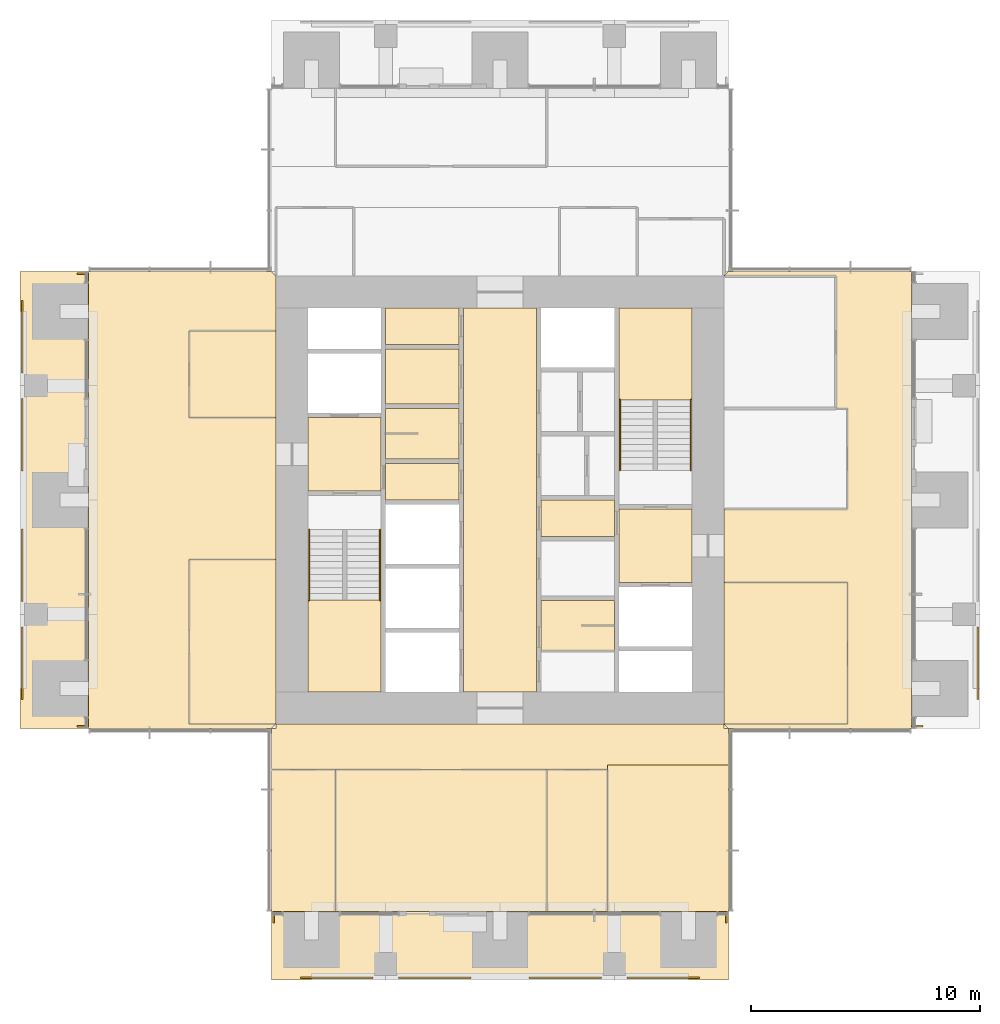
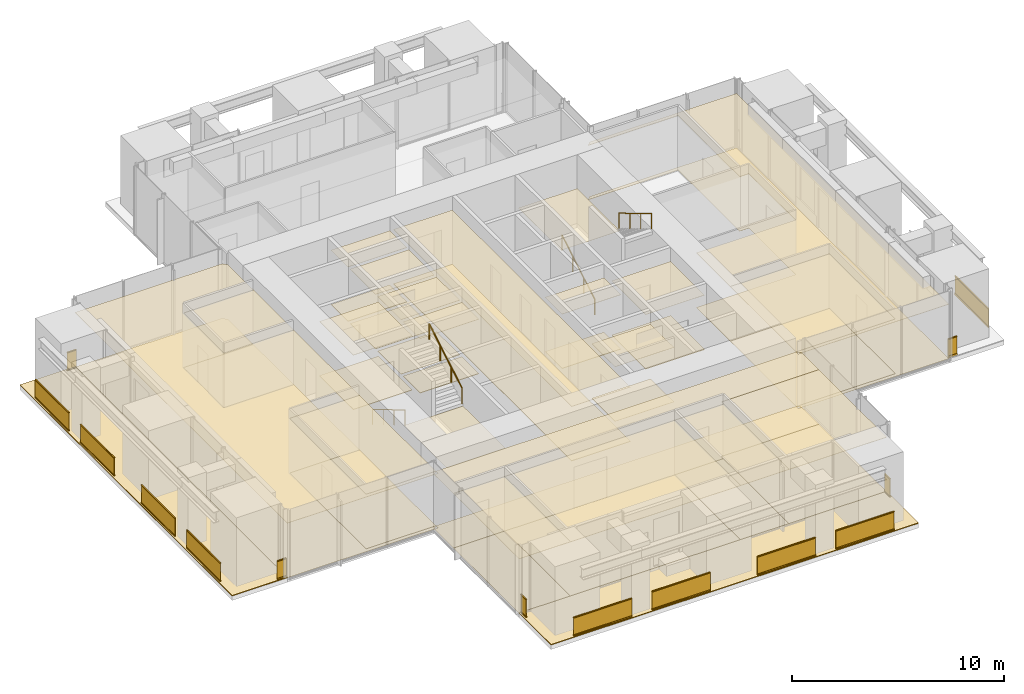
# One storey, part 15 of 17: 42 coverings, 18 railings.
"""IFC4 building model written with IfcOpenShell, lengths in metres."""

import ifcopenshell
import ifcopenshell.guid

model = None  # the IFC model being written
_history = None  # IfcOwnerHistory: only IFC2X3 demands one
_inside = {}  # id of a spatial element -> (the spatial element, [elements in it])
_under = {}  # id of a project, library or spatial element -> (it, [spatial elements below it])
_declared = {}  # id of a project -> (the project, [libraries it declares])
_typed = {}  # id of a type object -> (the type object, [elements of that type])
_made_of = {}  # id of a material, layer set ... -> (it, [elements and type objects made of it])


def new_model(schema):
    """Start an empty IFC model of exactly this schema.

    Asked for "IFC4X3", IfcOpenShell would pick the latest addendum, in which some entities
    have other attributes; the version numbers below select the first issue.
    IFC2X3 requires an IfcOwnerHistory on every rooted entity: one is made here for all.
    """
    global model, _history
    if schema == "IFC4X3":
        model = ifcopenshell.file(schema_version=(4, 3, 0, 0))
    else:
        model = ifcopenshell.file(schema=schema)
    _inside.clear()
    _under.clear()
    _declared.clear()
    _typed.clear()
    _made_of.clear()
    _history = None
    if model.schema == "IFC2X3":
        org = make("IfcOrganization", Name="unknown")
        user = make(
            "IfcPersonAndOrganization",
            ThePerson=make("IfcPerson", FamilyName="unknown"),
            TheOrganization=org,
        )
        app = make(
            "IfcApplication",
            ApplicationDeveloper=org,
            Version="unknown",
            ApplicationFullName="unknown",
            ApplicationIdentifier="unknown",
        )
        _history = make(
            "IfcOwnerHistory",
            OwningUser=user,
            OwningApplication=app,
            ChangeAction="ADDED",
            CreationDate=0,
        )
    return model


def make(cls, **values):
    """One entity of the class cls with the attributes given. An attribute that is None is left unset."""
    return model.create_entity(
        cls, **{name: value for name, value in values.items() if value is not None}
    )


def rooted(cls, **values):
    """An entity with a GlobalId (a new one), such as an element, a storey or a relation."""
    return make(cls, GlobalId=ifcopenshell.guid.new(), OwnerHistory=_history, **values)


def si_unit(unit_type, name, prefix=None):
    """IfcSIUnit, for example si_unit("LENGTHUNIT", "METRE", prefix="MILLI")."""
    return make("IfcSIUnit", UnitType=unit_type, Prefix=prefix, Name=name)


def assignment(units):
    """IfcUnitAssignment: the units of a project."""
    return None if units is None else make("IfcUnitAssignment", Units=units)


def point(xyz):
    """IfcCartesianPoint."""
    return None if xyz is None else make("IfcCartesianPoint", Coordinates=xyz)


def direction(xyz):
    """IfcDirection."""
    return None if xyz is None else make("IfcDirection", DirectionRatios=xyz)


def frame(location, z_axis=None, x_axis=None):
    """IfcAxis2Placement3D, a coordinate frame: its origin and axes. An axis left out is left unset."""
    return make(
        "IfcAxis2Placement3D",
        Location=point(location),
        Axis=direction(z_axis),
        RefDirection=direction(x_axis),
    )


def frame_2d(location, x_axis=None):
    """IfcAxis2Placement2D, a coordinate frame in the plane: its origin and x axis."""
    return make(
        "IfcAxis2Placement2D", Location=point(location), RefDirection=direction(x_axis)
    )


def origin():
    """The frame at (0, 0, 0) with its axes left unset."""
    return frame((0.0, 0.0, 0.0))


def origin_2d():
    """The frame at (0, 0) in the plane with its x axis left unset."""
    return frame_2d((0.0, 0.0))


def place(relative_to, where):
    """IfcLocalPlacement: puts the frame where relative to a parent placement (None: the world)."""
    return make(
        "IfcLocalPlacement", PlacementRelTo=relative_to, RelativePlacement=where
    )


def context(
    kind, dimensions, precision=None, world=None, true_north=None, identifier=None
):
    """IfcGeometricRepresentationContext, for example the 3D "Model" context."""
    return make(
        "IfcGeometricRepresentationContext",
        ContextIdentifier=identifier,
        ContextType=kind,
        CoordinateSpaceDimension=dimensions,
        Precision=precision,
        WorldCoordinateSystem=world,
        TrueNorth=true_north,
    )


def subcontext(parent, identifier, kind, view, scale=None):
    """IfcGeometricRepresentationSubContext, for example "Body" below "Model"."""
    return make(
        "IfcGeometricRepresentationSubContext",
        ContextIdentifier=identifier,
        ContextType=kind,
        ParentContext=parent,
        TargetScale=scale,
        TargetView=view,
    )


def project(units=None, contexts=None):
    """IfcProject with its units and contexts."""
    return rooted(
        "IfcProject",
        Name="project",
        RepresentationContexts=contexts,
        UnitsInContext=assignment(units),
    )


def spatial(cls, under=None, at=None, **own):
    """A site, building, storey or space (cls), placed at a placement, below another one or the project."""
    s = rooted(cls, ObjectPlacement=at, **own)
    if under is not None:
        _under.setdefault(under.id(), (under, []))[1].append(s)
    return s


def polyline(points):
    """IfcPolyline through the points."""
    return make("IfcPolyline", Points=[point(p) for p in points])


def profile(cls, at=None, kind="AREA", **sizes):
    """A parametric profile (cls). Its sizes go by their IFC names, for example OverallWidth=200.0."""
    return make(cls, ProfileType=kind, Position=at, **sizes)


def rectangle(**sizes):
    """IfcRectangleProfileDef."""
    return profile("IfcRectangleProfileDef", **sizes)


def circle(**sizes):
    """IfcCircleProfileDef."""
    return profile("IfcCircleProfileDef", **sizes)


def outline(outer, holes=None, kind="AREA"):
    """IfcArbitraryClosedProfileDef: a profile drawn as a closed curve; with holes, ...WithVoids."""
    if holes is None:
        return make("IfcArbitraryClosedProfileDef", ProfileType=kind, OuterCurve=outer)
    return make(
        "IfcArbitraryProfileDefWithVoids",
        ProfileType=kind,
        OuterCurve=outer,
        InnerCurves=holes,
    )


def extrude(swept, where, along, depth):
    """IfcExtrudedAreaSolid: the profile swept, set in the frame where, extruded along a direction by depth."""
    return make(
        "IfcExtrudedAreaSolid",
        SweptArea=swept,
        Position=where,
        ExtrudedDirection=direction(along),
        Depth=depth,
    )


def shape(context_of_items, identifier, shape_type, items):
    """IfcShapeRepresentation: the items that make up one representation, for example the "Body"."""
    return make(
        "IfcShapeRepresentation",
        ContextOfItems=context_of_items,
        RepresentationIdentifier=identifier,
        RepresentationType=shape_type,
        Items=items,
    )


def material(Name=None, Category=None):
    """IfcMaterial."""
    return make("IfcMaterial", Name=Name, Category=Category)


def layer(
    of_material, thickness, ventilated=None, Name=None, Category=None, Priority=None
):
    """IfcMaterialLayer: one layer of a wall or slab, of a material (None: an air gap)."""
    return make(
        "IfcMaterialLayer",
        Material=of_material,
        LayerThickness=thickness,
        IsVentilated=ventilated,
        Name=Name,
        Category=Category,
        Priority=Priority,
    )


def layer_set(layers, Name=None):
    """IfcMaterialLayerSet."""
    return make("IfcMaterialLayerSet", MaterialLayers=layers, LayerSetName=Name)


def made_of(thing, what):
    """Note that an element or type object is made of a material, layer set ...; save() writes the relation."""
    if what is not None:
        _made_of.setdefault(what.id(), (what, []))[1].append(thing)
    return thing


def type_object(cls, material=None, **own):
    """A type object (cls), such as IfcWallType, which elements share."""
    return made_of(rooted(cls, **own), material)


def element(
    cls,
    number,
    at=None,
    inside=None,
    cuts=None,
    type_object=None,
    material=None,
    context=None,
    identifier="Body",
    shape_type=None,
    held_by="IfcProductDefinitionShape",
    body=None,
    shapes=None,
    **own,
):
    """One element of the class cls, such as IfcWall. Its Tag is "e" and its number.

    at: its placement. inside: the storey or other place that contains it. cuts: it is an
    opening in that element (IfcRelVoidsElement). A single representation is given by context,
    identifier, shape_type and body (its items); several are given by shapes. held_by: the class
    of the entity that holds the representations. save() writes the other relations.
    """
    e = rooted(cls, Tag="e%d" % number, ObjectPlacement=at, **own)
    if body is not None:
        shapes = [shape(context, identifier, shape_type, body)]
    if shapes is not None:
        e.Representation = make(held_by, Representations=shapes)
    if inside is not None:
        _inside.setdefault(inside.id(), (inside, []))[1].append(e)
    if cuts is not None:
        rooted(
            "IfcRelVoidsElement", RelatingBuildingElement=cuts, RelatedOpeningElement=e
        )
    if type_object is not None:
        _typed.setdefault(type_object.id(), (type_object, []))[1].append(e)
    return made_of(e, material)


def aggregate(whole, parts):
    """IfcRelAggregates: a whole, such as a stair, and the parts it consists of."""
    return rooted("IfcRelAggregates", RelatingObject=whole, RelatedObjects=parts)


def save(model, path):
    """Write the relations noted so far, then the file.

    IfcRelAggregates (storeys below a building ...), IfcRelContainedInSpatialStructure (elements
    in a storey), IfcRelDefinesByType, IfcRelAssociatesMaterial and IfcRelDeclares: one each for
    every whole, place, type object, material and project.
    """
    for whole, parts in _under.values():
        aggregate(whole, parts)
    for where, things in _inside.values():
        rooted(
            "IfcRelContainedInSpatialStructure",
            RelatedElements=things,
            RelatingStructure=where,
        )
    for kind, things in _typed.values():
        rooted("IfcRelDefinesByType", RelatedObjects=things, RelatingType=kind)
    for what, things in _made_of.values():
        rooted("IfcRelAssociatesMaterial", RelatedObjects=things, RelatingMaterial=what)
    for by, libraries in _declared.values():
        rooted("IfcRelDeclares", RelatingContext=by, RelatedDefinitions=libraries)
    model.write(path)


model = new_model("IFC4")

# Units and contexts
model_context = context("Model", 3, precision=1e-05, world=origin(), true_north=direction((0.0, 1.0)))
body_context = subcontext(model_context, "Body", "Model", "MODEL_VIEW")
ifc_project = project(units=[si_unit("LENGTHUNIT", "METRE"), si_unit("AREAUNIT", "SQUARE_METRE"), si_unit("VOLUMEUNIT", "CUBIC_METRE"), si_unit("PLANEANGLEUNIT", "RADIAN"), si_unit("MASSUNIT", "GRAM", prefix="KILO")], contexts=[model_context])

# Site, building, storey
site_placement = place(None, origin())
site = spatial("IfcSite", under=ifc_project, at=site_placement, CompositionType="ELEMENT")
building_placement = place(site_placement, origin())
building = spatial("IfcBuilding", under=site, at=building_placement, Name="Svetlomir Tower", CompositionType="ELEMENT")
storey_placement = place(building_placement, frame((0.0, 0.0, 174.5)))
storey = spatial("IfcBuildingStorey", under=building, at=storey_placement, Name="L41", CompositionType="ELEMENT", Elevation=174.5)

# Railings
ifc_material_1 = material(Name="Bronze anodised aluminium and laminated glass", Category="aluminium")
railing_type_1 = type_object("IfcRailingType", Name="BALCONY GUARD GR1 1100", PredefinedType="GUARDRAIL", material=ifc_material_1)
for number, where, name in (
    (1, (12.27490234375, 0.10009765625, 0.0), "Loggia guard S L41 bay 1"),
    (2, (16.550048828125, 0.10009765625, 0.0), "Loggia guard S L41 bay 2"),
    (3, (22.27490234375, 0.10009765625, 0.0), "Loggia guard S L41 bay 3"),
    (4, (26.550048828125, 0.10009765625, 0.0), "Loggia guard S L41 bay 4"),
):
    element("IfcRailing", number, at=place(storey_placement, frame(where)), inside=storey, type_object=railing_type_1, Name=name, PredefinedType="GUARDRAIL", context=body_context, shape_type="SweptSolid", body=[
        extrude(rectangle(XDim=0.06005859375, YDim=0.10009765625, at=origin_2d()), frame((0.0, 0.0, 0.050048828125), z_axis=(1.0, 0.0, 0.0), x_axis=(0.0, 1.0, 0.0)), (0.0, 0.0, 1.0), 3.175048828125),
        extrude(rectangle(XDim=0.021484375, YDim=0.960205078125, at=origin_2d()), frame((0.0, 0.0, 0.580078125), z_axis=(1.0, 0.0, 0.0), x_axis=(0.0, 1.0, 0.0)), (0.0, 0.0, 1.0), 3.175048828125),
        extrude(rectangle(XDim=0.06005859375, YDim=0.0400390625, at=origin_2d()), frame((0.0, 0.0, 1.080078125), z_axis=(1.0, 0.0, 0.0), x_axis=(0.0, 1.0, 0.0)), (0.0, 0.0, 1.0), 3.175048828125),
    ])
for number, where, name in (
    (5, (11.10009765625, 2.5, 0.0), "Loggia guard S L41 end 1"),
    (6, (30.89990234375, 2.5, 0.0), "Loggia guard S L41 end 2"),
):
    element("IfcRailing", number, at=place(storey_placement, frame(where)), inside=storey, type_object=railing_type_1, Name=name, PredefinedType="GUARDRAIL", context=body_context, shape_type="SweptSolid", body=[
        extrude(rectangle(XDim=0.06005859375, YDim=0.10009765625, at=origin_2d()), frame((0.0, 0.0, 0.050048828125), z_axis=(0.0, 1.0, 0.0), x_axis=(-1.0, 0.0, 0.0)), (0.0, 0.0, 1.0), 0.5),
        extrude(rectangle(XDim=0.021484375, YDim=0.960205078125, at=origin_2d()), frame((0.0, 0.0, 0.580078125), z_axis=(0.0, 1.0, 0.0), x_axis=(-1.0, 0.0, 0.0)), (0.0, 0.0, 1.0), 0.5),
        extrude(rectangle(XDim=0.06005859375, YDim=0.0400390625, at=origin_2d()), frame((0.0, 0.0, 1.080078125), z_axis=(0.0, 1.0, 0.0), x_axis=(-1.0, 0.0, 0.0)), (0.0, 0.0, 1.0), 0.5),
    ])
railing_1_placement = place(storey_placement, frame((41.89990234375, 12.27490234375, 0.0)))
element("IfcRailing", 7, at=railing_1_placement, inside=storey, type_object=railing_type_1, Name="Loggia guard E L41 bay 1", PredefinedType="GUARDRAIL", context=body_context, shape_type="SweptSolid", body=[
    extrude(rectangle(XDim=0.06005859375, YDim=0.10009765625, at=origin_2d()), frame((0.0, 0.0, 0.050048828125), z_axis=(0.0, 1.0, 0.0), x_axis=(-1.0, 0.0, 0.0)), (0.0, 0.0, 1.0), 3.175048828125),
    extrude(rectangle(XDim=0.021484375, YDim=0.960205078125, at=origin_2d()), frame((0.0, 0.0, 0.580078125), z_axis=(0.0, 1.0, 0.0), x_axis=(-1.0, 0.0, 0.0)), (0.0, 0.0, 1.0), 3.175048828125),
    extrude(rectangle(XDim=0.06005859375, YDim=0.0400390625, at=origin_2d()), frame((0.0, 0.0, 1.080078125), z_axis=(0.0, 1.0, 0.0), x_axis=(-1.0, 0.0, 0.0)), (0.0, 0.0, 1.0), 3.175048828125),
])
railing_2_placement = place(storey_placement, frame((39.5, 11.10009765625, 0.0)))
element("IfcRailing", 8, at=railing_2_placement, inside=storey, type_object=railing_type_1, Name="Loggia guard E L41 end 1", PredefinedType="GUARDRAIL", context=body_context, shape_type="SweptSolid", body=[
    extrude(rectangle(XDim=0.06005859375, YDim=0.10009765625, at=origin_2d()), frame((0.0, 0.0, 0.050048828125), z_axis=(-1.0, 0.0, 0.0), x_axis=(0.0, -1.0, 0.0)), (0.0, 0.0, 1.0), 0.5),
    extrude(rectangle(XDim=0.021484375, YDim=0.960205078125, at=origin_2d()), frame((0.0, 0.0, 0.580078125), z_axis=(-1.0, 0.0, 0.0), x_axis=(0.0, -1.0, 0.0)), (0.0, 0.0, 1.0), 0.5),
    extrude(rectangle(XDim=0.06005859375, YDim=0.0400390625, at=origin_2d()), frame((0.0, 0.0, 1.080078125), z_axis=(-1.0, 0.0, 0.0), x_axis=(0.0, -1.0, 0.0)), (0.0, 0.0, 1.0), 0.5),
])
for number, where, name in (
    (9, (0.10009765625, 12.27490234375, 0.0), "Loggia guard W L41 bay 1"),
    (10, (0.10009765625, 16.550048828125, 0.0), "Loggia guard W L41 bay 2"),
    (11, (0.10009765625, 22.27490234375, 0.0), "Loggia guard W L41 bay 3"),
    (12, (0.10009765625, 26.550048828125, 0.0), "Loggia guard W L41 bay 4"),
):
    element("IfcRailing", number, at=place(storey_placement, frame(where)), inside=storey, type_object=railing_type_1, Name=name, PredefinedType="GUARDRAIL", context=body_context, shape_type="SweptSolid", body=[
        extrude(rectangle(XDim=0.06005859375, YDim=0.10009765625, at=origin_2d()), frame((0.0, 0.0, 0.050048828125), z_axis=(0.0, 1.0, 0.0), x_axis=(-1.0, 0.0, 0.0)), (0.0, 0.0, 1.0), 3.175048828125),
        extrude(rectangle(XDim=0.021484375, YDim=0.960205078125, at=origin_2d()), frame((0.0, 0.0, 0.580078125), z_axis=(0.0, 1.0, 0.0), x_axis=(-1.0, 0.0, 0.0)), (0.0, 0.0, 1.0), 3.175048828125),
        extrude(rectangle(XDim=0.06005859375, YDim=0.0400390625, at=origin_2d()), frame((0.0, 0.0, 1.080078125), z_axis=(0.0, 1.0, 0.0), x_axis=(-1.0, 0.0, 0.0)), (0.0, 0.0, 1.0), 3.175048828125),
    ])
for number, where, name in (
    (13, (2.5, 11.10009765625, 0.0), "Loggia guard W L41 end 1"),
    (14, (2.5, 30.89990234375, 0.0), "Loggia guard W L41 end 2"),
):
    element("IfcRailing", number, at=place(storey_placement, frame(where)), inside=storey, type_object=railing_type_1, Name=name, PredefinedType="GUARDRAIL", context=body_context, shape_type="SweptSolid", body=[
        extrude(rectangle(XDim=0.06005859375, YDim=0.10009765625, at=origin_2d()), frame((0.0, 0.0, 0.050048828125), z_axis=(1.0, 0.0, 0.0), x_axis=(0.0, 1.0, 0.0)), (0.0, 0.0, 1.0), 0.5),
        extrude(rectangle(XDim=0.021484375, YDim=0.960205078125, at=origin_2d()), frame((0.0, 0.0, 0.580078125), z_axis=(1.0, 0.0, 0.0), x_axis=(0.0, 1.0, 0.0)), (0.0, 0.0, 1.0), 0.5),
        extrude(rectangle(XDim=0.06005859375, YDim=0.0400390625, at=origin_2d()), frame((0.0, 0.0, 1.080078125), z_axis=(1.0, 0.0, 0.0), x_axis=(0.0, 1.0, 0.0)), (0.0, 0.0, 1.0), 0.5),
    ])

# Coverings
ifc_material_2 = material(Name="Granite paving slabs on pedestals", Category="masonry")
ifc_layer_1 = layer(ifc_material_2, 0.0400390625)
ifc_layer_set_1 = layer_set([ifc_layer_1], Name="Granite paving slabs on pedestals")
covering_type_1 = type_object("IfcCoveringType", Name="BALCONY PAVING 40", PredefinedType="USERDEFINED", material=ifc_layer_set_1)
covering_1_placement = place(storey_placement, origin())
element("IfcCovering", 15, at=covering_1_placement, inside=storey, type_object=covering_type_1, Name="Loggia paving S L41", ObjectType="BALCONY PAVING", PredefinedType="USERDEFINED", context=body_context, shape_type="SweptSolid", body=[
    extrude(outline(polyline([(11.0, 0.0), (31.0, 0.0), (31.0, 3.0), (11.0, 3.0), (11.0, 0.0)])), origin(), (0.0, 0.0, 1.0), 0.0400390625),
])
covering_2_placement = place(storey_placement, origin())
element("IfcCovering", 16, at=covering_2_placement, inside=storey, type_object=covering_type_1, Name="Loggia paving W L41", ObjectType="BALCONY PAVING", PredefinedType="USERDEFINED", context=body_context, shape_type="SweptSolid", body=[
    extrude(outline(polyline([(0.0, 11.0), (3.0, 11.0), (3.0, 31.0), (0.0, 31.0), (0.0, 11.0)])), origin(), (0.0, 0.0, 1.0), 0.0400390625),
])
ifc_material_3 = material(Name="Carpet tile", Category="textile")
ifc_layer_2 = layer(ifc_material_3, 0.010009765625)
ifc_layer_set_2 = layer_set([ifc_layer_2], Name="Carpet tile")
covering_type_2 = type_object("IfcCoveringType", Name="CARPET TILE FLOOR 10", PredefinedType="FLOORING", material=ifc_layer_set_2)
covering_3_placement = place(storey_placement, origin())
element("IfcCovering", 17, at=covering_3_placement, inside=storey, type_object=covering_type_2, Name="Floor finish L41-18", PredefinedType="FLOORING", context=body_context, shape_type="SweptSolid", body=[
    extrude(outline(polyline([(11.0, 3.0), (13.800048828125, 3.0), (13.800048828125, 9.199951171875), (11.0, 9.199951171875), (11.0, 3.0)])), origin(), (0.0, 0.0, 1.0), 0.010009765625),
])
covering_4_placement = place(storey_placement, origin())
element("IfcCovering", 18, at=covering_4_placement, inside=storey, type_object=covering_type_2, Name="Floor finish L41-19", PredefinedType="FLOORING", context=body_context, shape_type="SweptSolid", body=[
    extrude(outline(polyline([(13.800048828125, 3.0), (23.050048828125, 3.0), (23.050048828125, 9.199951171875), (13.800048828125, 9.199951171875), (13.800048828125, 3.0)])), origin(), (0.0, 0.0, 1.0), 0.010009765625),
])
covering_5_placement = place(storey_placement, origin())
element("IfcCovering", 19, at=covering_5_placement, inside=storey, type_object=covering_type_2, Name="Floor finish L41-20", PredefinedType="FLOORING", context=body_context, shape_type="SweptSolid", body=[
    extrude(outline(polyline([(23.050048828125, 3.0), (25.699951171875, 3.0), (25.699951171875, 9.199951171875), (23.050048828125, 9.199951171875), (23.050048828125, 3.0)])), origin(), (0.0, 0.0, 1.0), 0.010009765625),
])
covering_6_placement = place(storey_placement, origin())
element("IfcCovering", 20, at=covering_6_placement, inside=storey, type_object=covering_type_2, Name="Floor finish L41-21", PredefinedType="FLOORING", context=body_context, shape_type="SweptSolid", body=[
    extrude(outline(polyline([(30.800048828125, 11.199951171875), (36.199951171875, 11.199951171875), (36.199951171875, 17.39990234375), (30.800048828125, 17.39990234375), (30.800048828125, 11.199951171875)])), origin(), (0.0, 0.0, 1.0), 0.010009765625),
])
covering_7_placement = place(storey_placement, origin())
element("IfcCovering", 21, at=covering_7_placement, inside=storey, type_object=covering_type_2, Name="Floor finish L41-28", PredefinedType="FLOORING", context=body_context, shape_type="SweptSolid", body=[
    extrude(outline(polyline([(7.39990234375, 11.199951171875), (11.199951171875, 11.199951171875), (11.199951171875, 18.39990234375), (7.39990234375, 18.39990234375), (7.39990234375, 11.199951171875)])), origin(), (0.0, 0.0, 1.0), 0.010009765625),
])
covering_8_placement = place(storey_placement, origin())
element("IfcCovering", 22, at=covering_8_placement, inside=storey, type_object=covering_type_2, Name="Floor finish L41-29", PredefinedType="FLOORING", context=body_context, shape_type="SweptSolid", body=[
    extrude(outline(polyline([(7.39990234375, 24.60009765625), (11.199951171875, 24.60009765625), (11.199951171875, 28.39990234375), (7.39990234375, 28.39990234375), (7.39990234375, 24.60009765625)])), origin(), (0.0, 0.0, 1.0), 0.010009765625),
])
covering_9_placement = place(storey_placement, origin())
element("IfcCovering", 23, at=covering_9_placement, inside=storey, type_object=covering_type_2, Name="Floor finish L41-30", PredefinedType="FLOORING", context=body_context, shape_type="SweptSolid", body=[
    extrude(outline(polyline([(11.0, 11.0), (11.199951171875, 11.0), (11.199951171875, 11.199951171875), (30.800048828125, 11.199951171875), (30.800048828125, 11.0), (31.0, 11.0), (31.0, 9.39990234375), (25.699951171875, 9.39990234375), (25.699951171875, 9.199951171875), (11.0, 9.199951171875), (11.0, 11.0)])), origin(), (0.0, 0.0, 1.0), 0.010009765625),
])
covering_10_placement = place(storey_placement, origin())
element("IfcCovering", 24, at=covering_10_placement, inside=storey, type_object=covering_type_2, Name="Floor finish L41-32", PredefinedType="FLOORING", context=body_context, shape_type="SweptSolid", body=[
    extrude(outline(polyline([(25.699951171875, 3.0), (25.699951171875, 9.39990234375), (31.0, 9.39990234375), (31.0, 3.0), (25.699951171875, 3.0)])), origin(), (0.0, 0.0, 1.0), 0.010009765625),
])
covering_11_placement = place(storey_placement, origin())
element("IfcCovering", 25, at=covering_11_placement, inside=storey, type_object=covering_type_2, Name="Floor finish L41-33", PredefinedType="FLOORING", context=body_context, shape_type="SweptSolid", body=[
    extrude(outline(polyline([(30.800048828125, 30.800048828125), (31.0, 31.0), (39.0, 31.0), (39.0, 11.0), (31.0, 11.0), (30.800048828125, 11.199951171875), (36.199951171875, 11.199951171875), (36.199951171875, 17.39990234375), (30.800048828125, 17.39990234375), (30.800048828125, 20.60009765625), (36.199951171875, 20.60009765625), (36.199951171875, 25.0), (35.699951171875, 25.0), (35.699951171875, 30.800048828125), (30.800048828125, 30.800048828125)])), origin(), (0.0, 0.0, 1.0), 0.010009765625),
])
covering_12_placement = place(storey_placement, origin())
element("IfcCovering", 26, at=covering_12_placement, inside=storey, type_object=covering_type_2, Name="Floor finish L41-37", PredefinedType="FLOORING", context=body_context, shape_type="SweptSolid", body=[
    extrude(outline(polyline([(11.199951171875, 28.39990234375), (7.39990234375, 28.39990234375), (7.39990234375, 24.60009765625), (11.199951171875, 24.60009765625), (11.199951171875, 18.39990234375), (7.39990234375, 18.39990234375), (7.39990234375, 11.199951171875), (11.199951171875, 11.199951171875), (11.0, 11.0), (3.0, 11.0), (3.0, 31.0), (11.0, 31.0), (11.199951171875, 30.800048828125), (11.199951171875, 28.39990234375)])), origin(), (0.0, 0.0, 1.0), 0.010009765625),
])
ifc_material_4 = material(Name="Ceramic floor tile", Category="ceramic")
ifc_layer_3 = layer(ifc_material_4, 0.014892578125)
ifc_layer_set_3 = layer_set([ifc_layer_3], Name="Ceramic floor tile")
covering_type_3 = type_object("IfcCoveringType", Name="CERAMIC TILE FLOOR 15", PredefinedType="FLOORING", material=ifc_layer_set_3)
covering_13_placement = place(storey_placement, origin())
element("IfcCovering", 27, at=covering_13_placement, inside=storey, type_object=covering_type_3, Name="Floor finish L41-04", PredefinedType="FLOORING", context=body_context, shape_type="SweptSolid", body=[
    extrude(outline(polyline([(16.0, 22.800048828125), (19.199951171875, 22.800048828125), (19.199951171875, 25.0), (16.0, 25.0), (16.0, 22.800048828125)])), origin(), (0.0, 0.0, 1.0), 0.014892578125),
])
covering_14_placement = place(storey_placement, origin())
element("IfcCovering", 28, at=covering_14_placement, inside=storey, type_object=covering_type_3, Name="Floor finish L41-05", PredefinedType="FLOORING", context=body_context, shape_type="SweptSolid", body=[
    extrude(outline(polyline([(16.0, 25.199951171875), (19.199951171875, 25.199951171875), (19.199951171875, 27.60009765625), (16.0, 27.60009765625), (16.0, 25.199951171875)])), origin(), (0.0, 0.0, 1.0), 0.014892578125),
])
covering_15_placement = place(storey_placement, origin())
element("IfcCovering", 29, at=covering_15_placement, inside=storey, type_object=covering_type_3, Name="Floor finish L41-09", PredefinedType="FLOORING", context=body_context, shape_type="SweptSolid", body=[
    extrude(outline(polyline([(22.800048828125, 14.39990234375), (26.0, 14.39990234375), (26.0, 16.60009765625), (22.800048828125, 16.60009765625), (22.800048828125, 14.39990234375)])), origin(), (0.0, 0.0, 1.0), 0.014892578125),
])

# Railings
ifc_material_5 = material(Name="Stainless steel", Category="steel")
railing_type_2 = type_object("IfcRailingType", Name="HANDRAIL HR1 900", PredefinedType="HANDRAIL", material=ifc_material_5)
railing_3_placement = place(storey_placement, frame((12.64990234375, 19.699951171875, 0.166748046875)))
element("IfcRailing", 30, at=railing_3_placement, inside=storey, type_object=railing_type_2, Name="Handrail S1 flight 1 L41", PredefinedType="HANDRAIL", context=body_context, shape_type="SweptSolid", body=[
    extrude(circle(Radius=0.02392578125, at=origin_2d()), frame((0.0, 0.0, 0.8759765625), z_axis=(0.0, -0.859290745958, 0.51148745235), x_axis=(1.0, 0.0, 0.0)), (0.0, 0.0, 1.0), 3.584228515625),
    extrude(circle(Radius=0.02099609375, at=origin_2d()), origin(), (0.0, 0.0, 1.0), 0.851806640625),
    extrude(circle(Radius=0.02099609375, at=origin_2d()), frame((0.0, -1.026611328125, 0.611083984375)), (0.0, 0.0, 1.0), 0.851806640625),
    extrude(circle(Radius=0.02099609375, at=origin_2d()), frame((0.0, -2.05322265625, 1.22216796875)), (0.0, 0.0, 1.0), 0.851806640625),
    extrude(circle(Radius=0.02099609375, at=origin_2d()), frame((0.0, -3.079833984375, 1.833251953125)), (0.0, 0.0, 1.0), 0.851806640625),
])
for number, where, name in (
    (31, (15.75, 16.6201171875, 2.166748046875), "Handrail S1 flight 2 L41"),
    (32, (26.25, 22.300048828125, 0.166748046875), "Handrail S2 flight 1 L41"),
):
    element("IfcRailing", number, at=place(storey_placement, frame(where)), inside=storey, type_object=railing_type_2, Name=name, PredefinedType="HANDRAIL", context=body_context, shape_type="SweptSolid", body=[
        extrude(circle(Radius=0.02392578125, at=origin_2d()), frame((0.0, 0.0, 0.8759765625), z_axis=(0.0, 0.859290745958, 0.51148745235), x_axis=(-1.0, 0.0, 0.0)), (0.0, 0.0, 1.0), 3.584228515625),
        extrude(circle(Radius=0.02099609375, at=origin_2d()), origin(), (0.0, 0.0, 1.0), 0.851806640625),
        extrude(circle(Radius=0.02099609375, at=origin_2d()), frame((0.0, 1.026611328125, 0.611083984375)), (0.0, 0.0, 1.0), 0.851806640625),
        extrude(circle(Radius=0.02099609375, at=origin_2d()), frame((0.0, 2.05322265625, 1.22216796875)), (0.0, 0.0, 1.0), 0.851806640625),
        extrude(circle(Radius=0.02099609375, at=origin_2d()), frame((0.0, 3.079833984375, 1.833251953125)), (0.0, 0.0, 1.0), 0.851806640625),
    ])
railing_4_placement = place(storey_placement, frame((29.35009765625, 25.3798828125, 2.166748046875)))
element("IfcRailing", 33, at=railing_4_placement, inside=storey, type_object=railing_type_2, Name="Handrail S2 flight 2 L41", PredefinedType="HANDRAIL", context=body_context, shape_type="SweptSolid", body=[
    extrude(circle(Radius=0.02392578125, at=origin_2d()), frame((0.0, 0.0, 0.8759765625), z_axis=(0.0, -0.859290745958, 0.51148745235), x_axis=(1.0, 0.0, 0.0)), (0.0, 0.0, 1.0), 3.584228515625),
    extrude(circle(Radius=0.02099609375, at=origin_2d()), origin(), (0.0, 0.0, 1.0), 0.851806640625),
    extrude(circle(Radius=0.02099609375, at=origin_2d()), frame((0.0, -1.026611328125, 0.611083984375)), (0.0, 0.0, 1.0), 0.851806640625),
    extrude(circle(Radius=0.02099609375, at=origin_2d()), frame((0.0, -2.05322265625, 1.22216796875)), (0.0, 0.0, 1.0), 0.851806640625),
    extrude(circle(Radius=0.02099609375, at=origin_2d()), frame((0.0, -3.079833984375, 1.833251953125)), (0.0, 0.0, 1.0), 0.851806640625),
])

# Coverings
ifc_material_6 = material(Name="Moisture resistant plasterboard ceiling", Category="gypsum")
ifc_layer_4 = layer(ifc_material_6, 0.012451171875)
ifc_layer_set_4 = layer_set([ifc_layer_4], Name="Moisture resistant plasterboard ceiling")
covering_type_4 = type_object("IfcCoveringType", Name="MOISTURE RESISTANT CEILING 12.5", PredefinedType="CEILING", material=ifc_layer_set_4)
covering_16_placement = place(storey_placement, frame((0.0, 0.0, 3.137451171875)))
element("IfcCovering", 34, at=covering_16_placement, inside=storey, type_object=covering_type_4, Name="Ceiling L41-04", PredefinedType="CEILING", context=body_context, shape_type="SweptSolid", body=[
    extrude(outline(polyline([(16.0, 22.800048828125), (19.199951171875, 22.800048828125), (19.199951171875, 25.0), (16.0, 25.0), (16.0, 22.800048828125)])), origin(), (0.0, 0.0, 1.0), 0.012451171875),
])
covering_17_placement = place(storey_placement, frame((0.0, 0.0, 3.137451171875)))
element("IfcCovering", 35, at=covering_17_placement, inside=storey, type_object=covering_type_4, Name="Ceiling L41-05", PredefinedType="CEILING", context=body_context, shape_type="SweptSolid", body=[
    extrude(outline(polyline([(16.0, 25.199951171875), (19.199951171875, 25.199951171875), (19.199951171875, 27.60009765625), (16.0, 27.60009765625), (16.0, 25.199951171875)])), origin(), (0.0, 0.0, 1.0), 0.012451171875),
])
covering_18_placement = place(storey_placement, frame((0.0, 0.0, 3.137451171875)))
element("IfcCovering", 36, at=covering_18_placement, inside=storey, type_object=covering_type_4, Name="Ceiling L41-09", PredefinedType="CEILING", context=body_context, shape_type="SweptSolid", body=[
    extrude(outline(polyline([(22.800048828125, 14.39990234375), (26.0, 14.39990234375), (26.0, 16.60009765625), (22.800048828125, 16.60009765625), (22.800048828125, 14.39990234375)])), origin(), (0.0, 0.0, 1.0), 0.012451171875),
])
ifc_material_7 = material(Name="Gypsum plasterboard ceiling", Category="gypsum")
ifc_layer_5 = layer(ifc_material_7, 0.014892578125)
ifc_layer_set_5 = layer_set([ifc_layer_5], Name="Gypsum plasterboard ceiling")
covering_type_5 = type_object("IfcCoveringType", Name="PLASTERBOARD CEILING 15", PredefinedType="CEILING", material=ifc_layer_set_5)
covering_19_placement = place(storey_placement, frame((0.0, 0.0, 3.135009765625)))
element("IfcCovering", 37, at=covering_19_placement, inside=storey, type_object=covering_type_5, Name="Ceiling L41-02", PredefinedType="CEILING", context=body_context, shape_type="SweptSolid", body=[
    extrude(outline(polyline([(12.60009765625, 21.39990234375), (15.800048828125, 21.39990234375), (15.800048828125, 24.60009765625), (12.60009765625, 24.60009765625), (12.60009765625, 21.39990234375)])), origin(), (0.0, 0.0, 1.0), 0.014892578125),
])
covering_20_placement = place(storey_placement, frame((0.0, 0.0, 3.135009765625)))
element("IfcCovering", 38, at=covering_20_placement, inside=storey, type_object=covering_type_5, Name="Ceiling L41-03", PredefinedType="CEILING", context=body_context, shape_type="SweptSolid", body=[
    extrude(outline(polyline([(16.0, 21.0), (19.199951171875, 21.0), (19.199951171875, 22.60009765625), (16.0, 22.60009765625), (16.0, 21.0)])), origin(), (0.0, 0.0, 1.0), 0.014892578125),
])
covering_21_placement = place(storey_placement, frame((0.0, 0.0, 3.135009765625)))
element("IfcCovering", 39, at=covering_21_placement, inside=storey, type_object=covering_type_5, Name="Ceiling L41-06", PredefinedType="CEILING", context=body_context, shape_type="SweptSolid", body=[
    extrude(outline(polyline([(16.0, 27.800048828125), (19.199951171875, 27.800048828125), (19.199951171875, 29.39990234375), (16.0, 29.39990234375), (16.0, 27.800048828125)])), origin(), (0.0, 0.0, 1.0), 0.014892578125),
])
covering_22_placement = place(storey_placement, frame((0.0, 0.0, 3.135009765625)))
element("IfcCovering", 40, at=covering_22_placement, inside=storey, type_object=covering_type_5, Name="Ceiling L41-07", PredefinedType="CEILING", context=body_context, shape_type="SweptSolid", body=[
    extrude(outline(polyline([(19.39990234375, 12.60009765625), (22.60009765625, 12.60009765625), (22.60009765625, 29.39990234375), (19.39990234375, 29.39990234375), (19.39990234375, 12.60009765625)])), origin(), (0.0, 0.0, 1.0), 0.014892578125),
])
covering_23_placement = place(storey_placement, frame((0.0, 0.0, 3.135009765625)))
element("IfcCovering", 41, at=covering_23_placement, inside=storey, type_object=covering_type_5, Name="Ceiling L41-11", PredefinedType="CEILING", context=body_context, shape_type="SweptSolid", body=[
    extrude(outline(polyline([(22.800048828125, 19.39990234375), (26.0, 19.39990234375), (26.0, 21.0), (22.800048828125, 21.0), (22.800048828125, 19.39990234375)])), origin(), (0.0, 0.0, 1.0), 0.014892578125),
])
covering_24_placement = place(storey_placement, frame((0.0, 0.0, 3.135009765625)))
element("IfcCovering", 42, at=covering_24_placement, inside=storey, type_object=covering_type_5, Name="Ceiling L41-12", PredefinedType="CEILING", context=body_context, shape_type="SweptSolid", body=[
    extrude(outline(polyline([(26.199951171875, 17.39990234375), (29.39990234375, 17.39990234375), (29.39990234375, 20.60009765625), (26.199951171875, 20.60009765625), (26.199951171875, 17.39990234375)])), origin(), (0.0, 0.0, 1.0), 0.014892578125),
])
ifc_material_8 = material(Name="Studded rubber floor finish", Category="rubber")
ifc_layer_6 = layer(ifc_material_8, 0.006103515625)
ifc_layer_set_6 = layer_set([ifc_layer_6], Name="Studded rubber floor finish")
covering_type_6 = type_object("IfcCoveringType", Name="RUBBER LANDING FINISH 6", PredefinedType="FLOORING", material=ifc_layer_set_6)
covering_25_placement = place(storey_placement, frame((0.0, 0.0, 2.0)))
element("IfcCovering", 43, at=covering_25_placement, inside=storey, type_object=covering_type_6, Name="Stair S1 landing finish L41", PredefinedType="FLOORING", context=body_context, shape_type="SweptSolid", body=[
    extrude(outline(polyline([(12.60009765625, 12.60009765625), (15.800048828125, 12.60009765625), (15.800048828125, 16.6201171875), (12.60009765625, 16.6201171875), (12.60009765625, 12.60009765625)])), origin(), (0.0, 0.0, 1.0), 0.006103515625),
])
covering_26_placement = place(storey_placement, frame((0.0, 0.0, 2.0)))
element("IfcCovering", 44, at=covering_26_placement, inside=storey, type_object=covering_type_6, Name="Stair S2 landing finish L41", PredefinedType="FLOORING", context=body_context, shape_type="SweptSolid", body=[
    extrude(outline(polyline([(26.199951171875, 25.3798828125), (29.39990234375, 25.3798828125), (29.39990234375, 29.39990234375), (26.199951171875, 29.39990234375), (26.199951171875, 25.3798828125)])), origin(), (0.0, 0.0, 1.0), 0.006103515625),
])
ifc_material_9 = material(Name="Mineral fibre ceiling tile", Category="mineral")
ifc_layer_7 = layer(ifc_material_9, 0.02001953125)
ifc_layer_set_7 = layer_set([ifc_layer_7], Name="Mineral fibre ceiling tile")
covering_type_7 = type_object("IfcCoveringType", Name="SUSPENDED CEILING 20", PredefinedType="CEILING", material=ifc_layer_set_7)
covering_27_placement = place(storey_placement, frame((0.0, 0.0, 3.1298828125)))
element("IfcCovering", 45, at=covering_27_placement, inside=storey, type_object=covering_type_7, Name="Ceiling L41-18", PredefinedType="CEILING", context=body_context, shape_type="SweptSolid", body=[
    extrude(outline(polyline([(11.0, 3.0), (13.800048828125, 3.0), (13.800048828125, 9.199951171875), (11.0, 9.199951171875), (11.0, 3.0)])), origin(), (0.0, 0.0, 1.0), 0.02001953125),
])
covering_28_placement = place(storey_placement, frame((0.0, 0.0, 3.1298828125)))
element("IfcCovering", 46, at=covering_28_placement, inside=storey, type_object=covering_type_7, Name="Ceiling L41-19", PredefinedType="CEILING", context=body_context, shape_type="SweptSolid", body=[
    extrude(outline(polyline([(13.800048828125, 3.0), (23.050048828125, 3.0), (23.050048828125, 9.199951171875), (13.800048828125, 9.199951171875), (13.800048828125, 3.0)])), origin(), (0.0, 0.0, 1.0), 0.02001953125),
])
covering_29_placement = place(storey_placement, frame((0.0, 0.0, 3.1298828125)))
element("IfcCovering", 47, at=covering_29_placement, inside=storey, type_object=covering_type_7, Name="Ceiling L41-20", PredefinedType="CEILING", context=body_context, shape_type="SweptSolid", body=[
    extrude(outline(polyline([(23.050048828125, 3.0), (25.699951171875, 3.0), (25.699951171875, 9.199951171875), (23.050048828125, 9.199951171875), (23.050048828125, 3.0)])), origin(), (0.0, 0.0, 1.0), 0.02001953125),
])
covering_30_placement = place(storey_placement, frame((0.0, 0.0, 3.1298828125)))
element("IfcCovering", 48, at=covering_30_placement, inside=storey, type_object=covering_type_7, Name="Ceiling L41-21", PredefinedType="CEILING", context=body_context, shape_type="SweptSolid", body=[
    extrude(outline(polyline([(30.800048828125, 11.199951171875), (36.199951171875, 11.199951171875), (36.199951171875, 17.39990234375), (30.800048828125, 17.39990234375), (30.800048828125, 11.199951171875)])), origin(), (0.0, 0.0, 1.0), 0.02001953125),
])
covering_31_placement = place(storey_placement, frame((0.0, 0.0, 3.1298828125)))
element("IfcCovering", 49, at=covering_31_placement, inside=storey, type_object=covering_type_7, Name="Ceiling L41-28", PredefinedType="CEILING", context=body_context, shape_type="SweptSolid", body=[
    extrude(outline(polyline([(7.39990234375, 11.199951171875), (11.199951171875, 11.199951171875), (11.199951171875, 18.39990234375), (7.39990234375, 18.39990234375), (7.39990234375, 11.199951171875)])), origin(), (0.0, 0.0, 1.0), 0.02001953125),
])
covering_32_placement = place(storey_placement, frame((0.0, 0.0, 3.1298828125)))
element("IfcCovering", 50, at=covering_32_placement, inside=storey, type_object=covering_type_7, Name="Ceiling L41-29", PredefinedType="CEILING", context=body_context, shape_type="SweptSolid", body=[
    extrude(outline(polyline([(7.39990234375, 24.60009765625), (11.199951171875, 24.60009765625), (11.199951171875, 28.39990234375), (7.39990234375, 28.39990234375), (7.39990234375, 24.60009765625)])), origin(), (0.0, 0.0, 1.0), 0.02001953125),
])
covering_33_placement = place(storey_placement, frame((0.0, 0.0, 3.1298828125)))
element("IfcCovering", 51, at=covering_33_placement, inside=storey, type_object=covering_type_7, Name="Ceiling L41-30", PredefinedType="CEILING", context=body_context, shape_type="SweptSolid", body=[
    extrude(outline(polyline([(11.0, 11.0), (11.199951171875, 11.0), (11.199951171875, 11.199951171875), (30.800048828125, 11.199951171875), (30.800048828125, 11.0), (31.0, 11.0), (31.0, 9.39990234375), (25.699951171875, 9.39990234375), (25.699951171875, 9.199951171875), (11.0, 9.199951171875), (11.0, 11.0)])), origin(), (0.0, 0.0, 1.0), 0.02001953125),
])
covering_34_placement = place(storey_placement, frame((0.0, 0.0, 3.1298828125)))
element("IfcCovering", 52, at=covering_34_placement, inside=storey, type_object=covering_type_7, Name="Ceiling L41-32", PredefinedType="CEILING", context=body_context, shape_type="SweptSolid", body=[
    extrude(outline(polyline([(25.699951171875, 3.0), (25.699951171875, 9.39990234375), (31.0, 9.39990234375), (31.0, 3.0), (25.699951171875, 3.0)])), origin(), (0.0, 0.0, 1.0), 0.02001953125),
])
covering_35_placement = place(storey_placement, frame((0.0, 0.0, 3.1298828125)))
element("IfcCovering", 53, at=covering_35_placement, inside=storey, type_object=covering_type_7, Name="Ceiling L41-33", PredefinedType="CEILING", context=body_context, shape_type="SweptSolid", body=[
    extrude(outline(polyline([(30.800048828125, 30.800048828125), (31.0, 31.0), (39.0, 31.0), (39.0, 11.0), (31.0, 11.0), (30.800048828125, 11.199951171875), (36.199951171875, 11.199951171875), (36.199951171875, 17.39990234375), (30.800048828125, 17.39990234375), (30.800048828125, 20.60009765625), (36.199951171875, 20.60009765625), (36.199951171875, 25.0), (35.699951171875, 25.0), (35.699951171875, 30.800048828125), (30.800048828125, 30.800048828125)])), origin(), (0.0, 0.0, 1.0), 0.02001953125),
])
covering_36_placement = place(storey_placement, frame((0.0, 0.0, 3.1298828125)))
element("IfcCovering", 54, at=covering_36_placement, inside=storey, type_object=covering_type_7, Name="Ceiling L41-37", PredefinedType="CEILING", context=body_context, shape_type="SweptSolid", body=[
    extrude(outline(polyline([(11.199951171875, 28.39990234375), (7.39990234375, 28.39990234375), (7.39990234375, 24.60009765625), (11.199951171875, 24.60009765625), (11.199951171875, 18.39990234375), (7.39990234375, 18.39990234375), (7.39990234375, 11.199951171875), (11.199951171875, 11.199951171875), (11.0, 11.0), (3.0, 11.0), (3.0, 31.0), (11.0, 31.0), (11.199951171875, 30.800048828125), (11.199951171875, 28.39990234375)])), origin(), (0.0, 0.0, 1.0), 0.02001953125),
])
ifc_material_10 = material(Name="Bronze-aggregate terrazzo", Category="stone")
ifc_layer_8 = layer(ifc_material_10, 0.030029296875)
ifc_layer_set_8 = layer_set([ifc_layer_8], Name="Bronze-aggregate terrazzo")
covering_type_8 = type_object("IfcCoveringType", Name="TERRAZZO FLOOR 30", PredefinedType="FLOORING", material=ifc_layer_set_8)
covering_37_placement = place(storey_placement, origin())
element("IfcCovering", 55, at=covering_37_placement, inside=storey, type_object=covering_type_8, Name="Floor finish L41-02", PredefinedType="FLOORING", context=body_context, shape_type="SweptSolid", body=[
    extrude(outline(polyline([(12.60009765625, 21.39990234375), (15.800048828125, 21.39990234375), (15.800048828125, 24.60009765625), (12.60009765625, 24.60009765625), (12.60009765625, 21.39990234375)])), origin(), (0.0, 0.0, 1.0), 0.030029296875),
])
covering_38_placement = place(storey_placement, origin())
element("IfcCovering", 56, at=covering_38_placement, inside=storey, type_object=covering_type_8, Name="Floor finish L41-03", PredefinedType="FLOORING", context=body_context, shape_type="SweptSolid", body=[
    extrude(outline(polyline([(16.0, 21.0), (19.199951171875, 21.0), (19.199951171875, 22.60009765625), (16.0, 22.60009765625), (16.0, 21.0)])), origin(), (0.0, 0.0, 1.0), 0.030029296875),
])
covering_39_placement = place(storey_placement, origin())
element("IfcCovering", 57, at=covering_39_placement, inside=storey, type_object=covering_type_8, Name="Floor finish L41-06", PredefinedType="FLOORING", context=body_context, shape_type="SweptSolid", body=[
    extrude(outline(polyline([(16.0, 27.800048828125), (19.199951171875, 27.800048828125), (19.199951171875, 29.39990234375), (16.0, 29.39990234375), (16.0, 27.800048828125)])), origin(), (0.0, 0.0, 1.0), 0.030029296875),
])
covering_40_placement = place(storey_placement, origin())
element("IfcCovering", 58, at=covering_40_placement, inside=storey, type_object=covering_type_8, Name="Floor finish L41-07", PredefinedType="FLOORING", context=body_context, shape_type="SweptSolid", body=[
    extrude(outline(polyline([(19.39990234375, 12.60009765625), (22.60009765625, 12.60009765625), (22.60009765625, 29.39990234375), (19.39990234375, 29.39990234375), (19.39990234375, 12.60009765625)])), origin(), (0.0, 0.0, 1.0), 0.030029296875),
])
covering_41_placement = place(storey_placement, origin())
element("IfcCovering", 59, at=covering_41_placement, inside=storey, type_object=covering_type_8, Name="Floor finish L41-11", PredefinedType="FLOORING", context=body_context, shape_type="SweptSolid", body=[
    extrude(outline(polyline([(22.800048828125, 19.39990234375), (26.0, 19.39990234375), (26.0, 21.0), (22.800048828125, 21.0), (22.800048828125, 19.39990234375)])), origin(), (0.0, 0.0, 1.0), 0.030029296875),
])
covering_42_placement = place(storey_placement, origin())
element("IfcCovering", 60, at=covering_42_placement, inside=storey, type_object=covering_type_8, Name="Floor finish L41-12", PredefinedType="FLOORING", context=body_context, shape_type="SweptSolid", body=[
    extrude(outline(polyline([(26.199951171875, 17.39990234375), (29.39990234375, 17.39990234375), (29.39990234375, 20.60009765625), (26.199951171875, 20.60009765625), (26.199951171875, 17.39990234375)])), origin(), (0.0, 0.0, 1.0), 0.030029296875),
])

save(model, "model.ifc")
